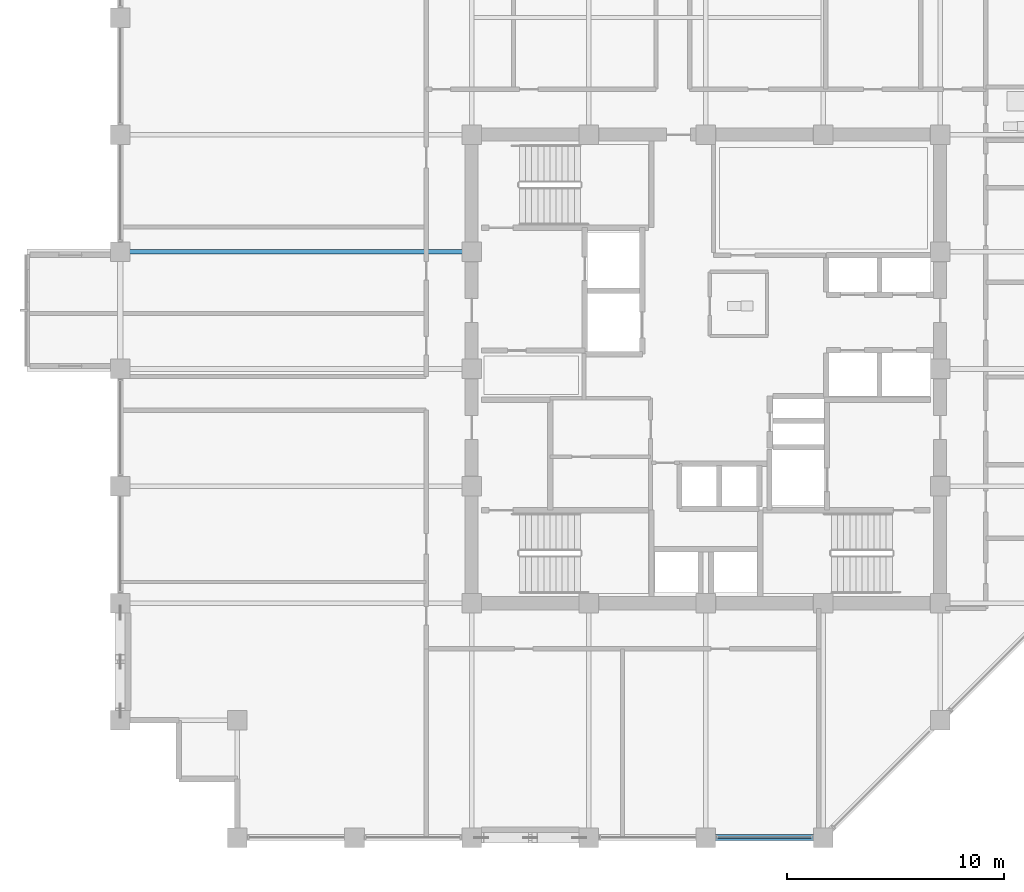
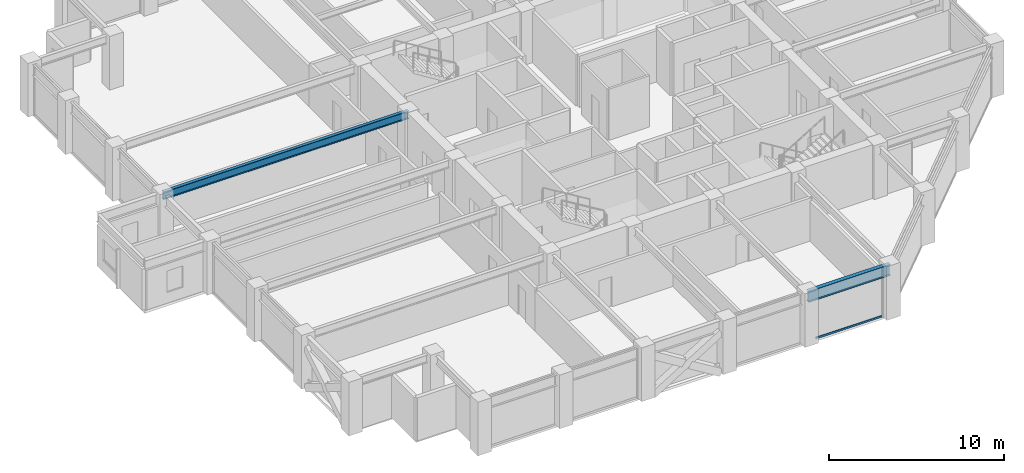
# One storey, part 8 of 28: 2 beams, 1 member, 1 element without a shape of its own.
"""IFC4 building model written with IfcOpenShell, lengths in metres."""

from ifc_helpers import new_model, si_unit, direction, frame, origin, origin_2d, place, context, subcontext, project, spatial, hollow_rectangle, i_section, extrude, material, layer, layer_set, material_profile, profile_set, type_object, element, aggregate, save


model = new_model("IFC4")

# Units and contexts
model_context = context("Model", 3, precision=1e-05, world=origin(), true_north=direction((0.0, 1.0)))
body_context = subcontext(model_context, "Body", "Model", "MODEL_VIEW")
ifc_project = project(units=[si_unit("LENGTHUNIT", "METRE"), si_unit("AREAUNIT", "SQUARE_METRE"), si_unit("VOLUMEUNIT", "CUBIC_METRE"), si_unit("PLANEANGLEUNIT", "RADIAN"), si_unit("MASSUNIT", "GRAM", prefix="KILO")], contexts=[model_context])

# Site, building, storey
site_placement = place(None, origin())
site = spatial("IfcSite", under=ifc_project, at=site_placement, CompositionType="ELEMENT")
building_placement = place(site_placement, origin())
building = spatial("IfcBuilding", under=site, at=building_placement, Name="Surkhivell Harbour Commons", CompositionType="ELEMENT")
storey_placement = place(building_placement, frame((0.0, 0.0, 178.5)))
storey = spatial("IfcBuildingStorey", under=building, at=storey_placement, Name="L46", CompositionType="ELEMENT", Elevation=178.5)

# Beams
ifc_material_1 = material(Name="Steel S355", Category="steel")
ifc_material_profile_1 = material_profile(ifc_material_1, i_section(OverallWidth=0.2119140625, OverallDepth=0.5439453125, WebThickness=0.0126953125, FlangeThickness=0.021240234375, at=origin_2d()), Name="UB533x210x122")
ifc_profile_set_1 = profile_set([ifc_material_profile_1], Name="Steel S355")
beam_type_1 = type_object("IfcBeamType", Name="BM-GRD-533A", PredefinedType="BEAM", material=ifc_profile_set_1)
beam_1_placement = place(storey_placement, frame((-27.0, 5.39990234375, 3.298095703125), z_axis=(1.0, 0.0, 0.0), x_axis=(0.0, 1.0, 0.0)))
element("IfcBeam", 1, at=beam_1_placement, inside=storey, type_object=beam_type_1, Name="L46 Cantilever Back-Span Girder (-27.0,5.4)", PredefinedType="BEAM", context=body_context, shape_type="SweptSolid", body=[
    extrude(i_section(OverallWidth=0.2119140625, OverallDepth=0.5439453125, WebThickness=0.0126953125, FlangeThickness=0.021240234375, at=origin_2d()), origin(), (0.0, 0.0, 1.0), 16.199951171875),
])
ifc_material_profile_2 = material_profile(ifc_material_1, i_section(OverallWidth=0.26806640625, OverallDepth=0.77001953125, WebThickness=0.015625, FlangeThickness=0.025390625, at=origin_2d()), Name="UB762x267x197")
ifc_profile_set_2 = profile_set([ifc_material_profile_2], Name="Steel S355")
beam_type_2 = type_object("IfcBeamType", Name="BM-SPN-762", PredefinedType="SPANDREL", material=ifc_profile_set_2)
beam_2_placement = place(storey_placement, frame((0.0, -21.60009765625, 3.18505859375), z_axis=(1.0, 0.0, 0.0), x_axis=(0.0, 1.0, 0.0)))
element("IfcBeam", 2, at=beam_2_placement, inside=storey, type_object=beam_type_2, Name="L46 Tube Spandrel (-0.0,-21.6)", PredefinedType="SPANDREL", context=body_context, shape_type="SweptSolid", body=[
    extrude(i_section(OverallWidth=0.26806640625, OverallDepth=0.77001953125, WebThickness=0.015625, FlangeThickness=0.025390625, at=origin_2d()), origin(), (0.0, 0.0, 1.0), 5.39990234375),
])

# Curtain wall, member
ifc_material_2 = material(Name="Anodised pale-metal aluminium and insulated glazing", Category="aluminium")
ifc_layer = layer(ifc_material_2, 0.18994140625)
ifc_layer_set = layer_set([ifc_layer], Name="Anodised pale-metal aluminium and insulated glazing")
curtain_wall_type = type_object("IfcCurtainWallType", Name="CW-SYS-Z3", PredefinedType="NOTDEFINED", material=ifc_layer_set)
curtain_wall_placement = place(storey_placement, origin())
curtain_wall = element("IfcCurtainWall", 3, at=curtain_wall_placement, inside=storey, type_object=curtain_wall_type, Name="L46 Curtain Wall CW-L46-E00S2", PredefinedType="NOTDEFINED")
ifc_material_3 = material(Name="Champagne anodised aluminium alloy 6063-T6", Category="aluminium")
ifc_material_profile_3 = material_profile(ifc_material_3, hollow_rectangle(XDim=0.070068359375, YDim=0.1298828125, WallThickness=0.00341796875, at=origin_2d()), Name="ALU-TRAN-70x130")
ifc_profile_set_3 = profile_set([ifc_material_profile_3], Name="Champagne anodised aluminium alloy 6063-T6")
member_type = type_object("IfcMemberType", Name="CWT-130", PredefinedType="USERDEFINED", material=ifc_profile_set_3)
member_placement = place(storey_placement, frame((0.527099609375, -21.60009765625, 0.06494140625), z_axis=(1.0, 0.0, 0.0), x_axis=(0.0, 1.0, 0.0)))
member = element("IfcMember", 4, at=member_placement, type_object=member_type, Name="CW-Z3 transom 2.1", ObjectType="TRANSOM", PredefinedType="USERDEFINED", context=body_context, shape_type="SweptSolid", body=[
    extrude(hollow_rectangle(XDim=0.070068359375, YDim=0.1298828125, WallThickness=0.00341796875, at=origin_2d()), origin(), (0.0, 0.0, 1.0), 4.345947265625),
])
aggregate(curtain_wall, [member])

save(model, "model.ifc")
